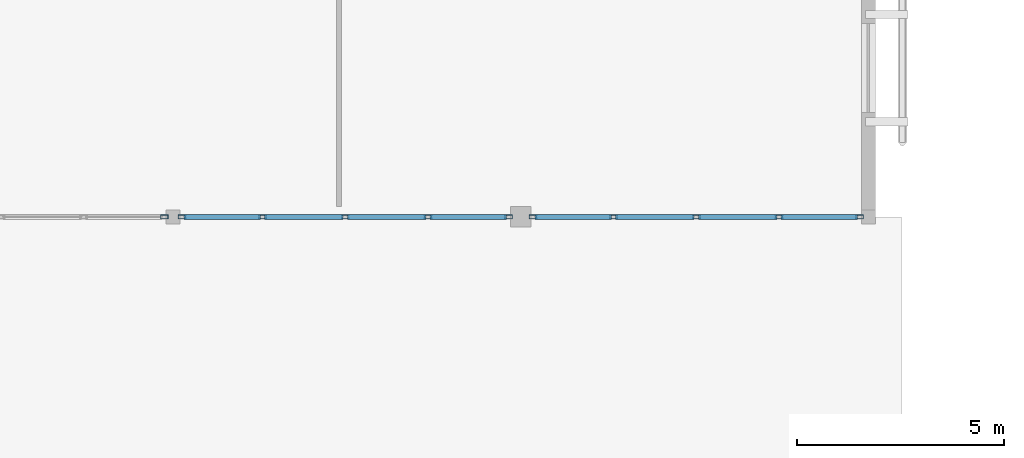
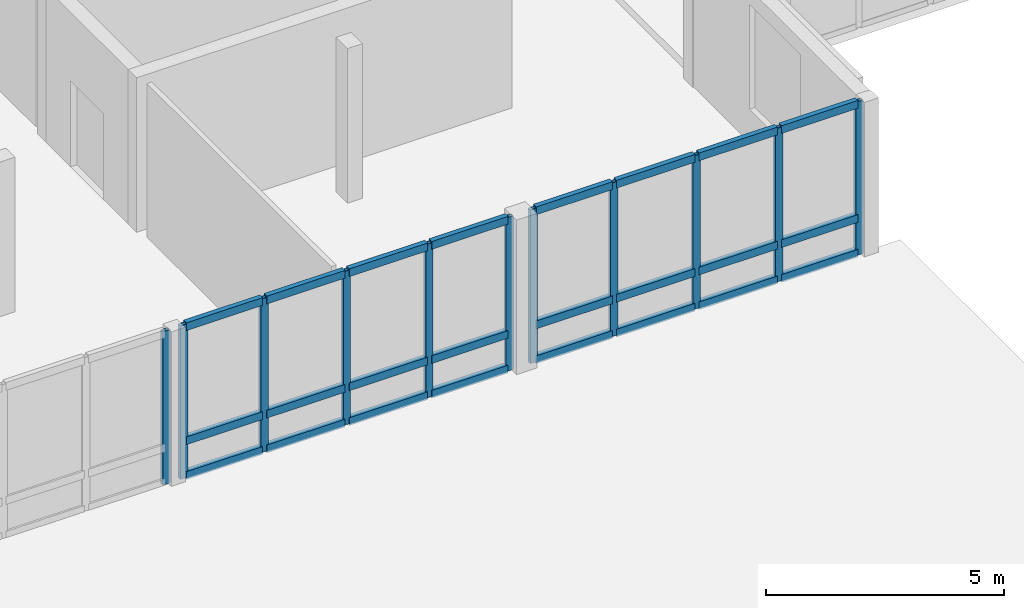
# One storey, part 44 of 217: 35 members, 3 elements without a shape of their own.
"""IFC4 building model written with IfcOpenShell, lengths in metres."""

import ifcopenshell
import ifcopenshell.guid

model = None  # the IFC model being written
_history = None  # IfcOwnerHistory: only IFC2X3 demands one
_inside = {}  # id of a spatial element -> (the spatial element, [elements in it])
_under = {}  # id of a project, library or spatial element -> (it, [spatial elements below it])
_declared = {}  # id of a project -> (the project, [libraries it declares])
_typed = {}  # id of a type object -> (the type object, [elements of that type])
_made_of = {}  # id of a material, layer set ... -> (it, [elements and type objects made of it])


def new_model(schema):
    """Start an empty IFC model of exactly this schema.

    Asked for "IFC4X3", IfcOpenShell would pick the latest addendum, in which some entities
    have other attributes; the version numbers below select the first issue.
    IFC2X3 requires an IfcOwnerHistory on every rooted entity: one is made here for all.
    """
    global model, _history
    if schema == "IFC4X3":
        model = ifcopenshell.file(schema_version=(4, 3, 0, 0))
    else:
        model = ifcopenshell.file(schema=schema)
    _inside.clear()
    _under.clear()
    _declared.clear()
    _typed.clear()
    _made_of.clear()
    _history = None
    if model.schema == "IFC2X3":
        org = make("IfcOrganization", Name="unknown")
        user = make(
            "IfcPersonAndOrganization",
            ThePerson=make("IfcPerson", FamilyName="unknown"),
            TheOrganization=org,
        )
        app = make(
            "IfcApplication",
            ApplicationDeveloper=org,
            Version="unknown",
            ApplicationFullName="unknown",
            ApplicationIdentifier="unknown",
        )
        _history = make(
            "IfcOwnerHistory",
            OwningUser=user,
            OwningApplication=app,
            ChangeAction="ADDED",
            CreationDate=0,
        )
    return model


def make(cls, **values):
    """One entity of the class cls with the attributes given. An attribute that is None is left unset."""
    return model.create_entity(
        cls, **{name: value for name, value in values.items() if value is not None}
    )


def rooted(cls, **values):
    """An entity with a GlobalId (a new one), such as an element, a storey or a relation."""
    return make(cls, GlobalId=ifcopenshell.guid.new(), OwnerHistory=_history, **values)


def si_unit(unit_type, name, prefix=None):
    """IfcSIUnit, for example si_unit("LENGTHUNIT", "METRE", prefix="MILLI")."""
    return make("IfcSIUnit", UnitType=unit_type, Prefix=prefix, Name=name)


def assignment(units):
    """IfcUnitAssignment: the units of a project."""
    return None if units is None else make("IfcUnitAssignment", Units=units)


def point(xyz):
    """IfcCartesianPoint."""
    return None if xyz is None else make("IfcCartesianPoint", Coordinates=xyz)


def direction(xyz):
    """IfcDirection."""
    return None if xyz is None else make("IfcDirection", DirectionRatios=xyz)


def frame(location, z_axis=None, x_axis=None):
    """IfcAxis2Placement3D, a coordinate frame: its origin and axes. An axis left out is left unset."""
    return make(
        "IfcAxis2Placement3D",
        Location=point(location),
        Axis=direction(z_axis),
        RefDirection=direction(x_axis),
    )


def frame_2d(location, x_axis=None):
    """IfcAxis2Placement2D, a coordinate frame in the plane: its origin and x axis."""
    return make(
        "IfcAxis2Placement2D", Location=point(location), RefDirection=direction(x_axis)
    )


def origin():
    """The frame at (0, 0, 0) with its axes left unset."""
    return frame((0.0, 0.0, 0.0))


def origin_2d():
    """The frame at (0, 0) in the plane with its x axis left unset."""
    return frame_2d((0.0, 0.0))


def place(relative_to, where):
    """IfcLocalPlacement: puts the frame where relative to a parent placement (None: the world)."""
    return make(
        "IfcLocalPlacement", PlacementRelTo=relative_to, RelativePlacement=where
    )


def context(
    kind, dimensions, precision=None, world=None, true_north=None, identifier=None
):
    """IfcGeometricRepresentationContext, for example the 3D "Model" context."""
    return make(
        "IfcGeometricRepresentationContext",
        ContextIdentifier=identifier,
        ContextType=kind,
        CoordinateSpaceDimension=dimensions,
        Precision=precision,
        WorldCoordinateSystem=world,
        TrueNorth=true_north,
    )


def subcontext(parent, identifier, kind, view, scale=None):
    """IfcGeometricRepresentationSubContext, for example "Body" below "Model"."""
    return make(
        "IfcGeometricRepresentationSubContext",
        ContextIdentifier=identifier,
        ContextType=kind,
        ParentContext=parent,
        TargetScale=scale,
        TargetView=view,
    )


def project(units=None, contexts=None):
    """IfcProject with its units and contexts."""
    return rooted(
        "IfcProject",
        Name="project",
        RepresentationContexts=contexts,
        UnitsInContext=assignment(units),
    )


def spatial(cls, under=None, at=None, **own):
    """A site, building, storey or space (cls), placed at a placement, below another one or the project."""
    s = rooted(cls, ObjectPlacement=at, **own)
    if under is not None:
        _under.setdefault(under.id(), (under, []))[1].append(s)
    return s


def profile(cls, at=None, kind="AREA", **sizes):
    """A parametric profile (cls). Its sizes go by their IFC names, for example OverallWidth=200.0."""
    return make(cls, ProfileType=kind, Position=at, **sizes)


def hollow_rectangle(**sizes):
    """IfcRectangleHollowProfileDef."""
    return profile("IfcRectangleHollowProfileDef", **sizes)


def extrude(swept, where, along, depth):
    """IfcExtrudedAreaSolid: the profile swept, set in the frame where, extruded along a direction by depth."""
    return make(
        "IfcExtrudedAreaSolid",
        SweptArea=swept,
        Position=where,
        ExtrudedDirection=direction(along),
        Depth=depth,
    )


def shape(context_of_items, identifier, shape_type, items):
    """IfcShapeRepresentation: the items that make up one representation, for example the "Body"."""
    return make(
        "IfcShapeRepresentation",
        ContextOfItems=context_of_items,
        RepresentationIdentifier=identifier,
        RepresentationType=shape_type,
        Items=items,
    )


def material(Name=None, Category=None):
    """IfcMaterial."""
    return make("IfcMaterial", Name=Name, Category=Category)


def layer(
    of_material, thickness, ventilated=None, Name=None, Category=None, Priority=None
):
    """IfcMaterialLayer: one layer of a wall or slab, of a material (None: an air gap)."""
    return make(
        "IfcMaterialLayer",
        Material=of_material,
        LayerThickness=thickness,
        IsVentilated=ventilated,
        Name=Name,
        Category=Category,
        Priority=Priority,
    )


def layer_set(layers, Name=None):
    """IfcMaterialLayerSet."""
    return make("IfcMaterialLayerSet", MaterialLayers=layers, LayerSetName=Name)


def material_profile(
    of_material, cross_section, Name=None, Category=None, Priority=None
):
    """IfcMaterialProfile: a cross section and its material."""
    return make(
        "IfcMaterialProfile",
        Name=Name,
        Material=of_material,
        Profile=cross_section,
        Priority=Priority,
        Category=Category,
    )


def profile_set(profiles, Name=None, composite=None):
    """IfcMaterialProfileSet."""
    return make(
        "IfcMaterialProfileSet",
        Name=Name,
        MaterialProfiles=profiles,
        CompositeProfile=composite,
    )


def made_of(thing, what):
    """Note that an element or type object is made of a material, layer set ...; save() writes the relation."""
    if what is not None:
        _made_of.setdefault(what.id(), (what, []))[1].append(thing)
    return thing


def type_object(cls, material=None, **own):
    """A type object (cls), such as IfcWallType, which elements share."""
    return made_of(rooted(cls, **own), material)


def element(
    cls,
    number,
    at=None,
    inside=None,
    cuts=None,
    type_object=None,
    material=None,
    context=None,
    identifier="Body",
    shape_type=None,
    held_by="IfcProductDefinitionShape",
    body=None,
    shapes=None,
    **own,
):
    """One element of the class cls, such as IfcWall. Its Tag is "e" and its number.

    at: its placement. inside: the storey or other place that contains it. cuts: it is an
    opening in that element (IfcRelVoidsElement). A single representation is given by context,
    identifier, shape_type and body (its items); several are given by shapes. held_by: the class
    of the entity that holds the representations. save() writes the other relations.
    """
    e = rooted(cls, Tag="e%d" % number, ObjectPlacement=at, **own)
    if body is not None:
        shapes = [shape(context, identifier, shape_type, body)]
    if shapes is not None:
        e.Representation = make(held_by, Representations=shapes)
    if inside is not None:
        _inside.setdefault(inside.id(), (inside, []))[1].append(e)
    if cuts is not None:
        rooted(
            "IfcRelVoidsElement", RelatingBuildingElement=cuts, RelatedOpeningElement=e
        )
    if type_object is not None:
        _typed.setdefault(type_object.id(), (type_object, []))[1].append(e)
    return made_of(e, material)


def aggregate(whole, parts):
    """IfcRelAggregates: a whole, such as a stair, and the parts it consists of."""
    return rooted("IfcRelAggregates", RelatingObject=whole, RelatedObjects=parts)


def save(model, path):
    """Write the relations noted so far, then the file.

    IfcRelAggregates (storeys below a building ...), IfcRelContainedInSpatialStructure (elements
    in a storey), IfcRelDefinesByType, IfcRelAssociatesMaterial and IfcRelDeclares: one each for
    every whole, place, type object, material and project.
    """
    for whole, parts in _under.values():
        aggregate(whole, parts)
    for where, things in _inside.values():
        rooted(
            "IfcRelContainedInSpatialStructure",
            RelatedElements=things,
            RelatingStructure=where,
        )
    for kind, things in _typed.values():
        rooted("IfcRelDefinesByType", RelatedObjects=things, RelatingType=kind)
    for what, things in _made_of.values():
        rooted("IfcRelAssociatesMaterial", RelatedObjects=things, RelatingMaterial=what)
    for by, libraries in _declared.values():
        rooted("IfcRelDeclares", RelatingContext=by, RelatedDefinitions=libraries)
    model.write(path)


model = new_model("IFC4")

# Units and contexts
model_context = context("Model", 3, precision=1e-05, world=origin(), true_north=direction((0.0, 1.0)))
body_context = subcontext(model_context, "Body", "Model", "MODEL_VIEW")
ifc_project = project(units=[si_unit("LENGTHUNIT", "METRE"), si_unit("AREAUNIT", "SQUARE_METRE"), si_unit("VOLUMEUNIT", "CUBIC_METRE"), si_unit("PLANEANGLEUNIT", "RADIAN"), si_unit("MASSUNIT", "GRAM", prefix="KILO")], contexts=[model_context])

# Site, building, storey
site_placement = place(None, origin())
site = spatial("IfcSite", under=ifc_project, at=site_placement, CompositionType="ELEMENT")
building_placement = place(site_placement, origin())
building = spatial("IfcBuilding", under=site, at=building_placement, Name="Mazaris Harbour Polytechnic", CompositionType="ELEMENT")
storey_placement = place(building_placement, frame((0.0, 0.0, 9.60009765625)))
storey = spatial("IfcBuildingStorey", under=building, at=storey_placement, Name="L02", CompositionType="ELEMENT", Elevation=9.60009765625)

# Curtain wall, member
ifc_material_1 = material(Name="Anodised Bronze Aluminium and Low-E Glass", Category="aluminium")
ifc_layer = layer(ifc_material_1, 0.179931640625, Name="Anodised Bronze Aluminium and Low-E Glass")
ifc_layer_set = layer_set([ifc_layer], Name="Anodised Bronze Aluminium and Low-E Glass")
curtain_wall_type = type_object("IfcCurtainWallType", Name="Harbour Colonnade Curtain Wall", PredefinedType="NOTDEFINED", material=ifc_layer_set)
curtain_wall_1_placement = place(storey_placement, origin())
curtain_wall_1 = element("IfcCurtainWall", 1, at=curtain_wall_1_placement, inside=storey, type_object=curtain_wall_type, Name="V3 L02 Curtain Wall 83", PredefinedType="NOTDEFINED")
ifc_material_2 = material(Name="Anodised Bronze Steel S355", Category="steel")
ifc_material_profile_1 = material_profile(ifc_material_2, hollow_rectangle(XDim=0.10009765625, YDim=0.179931640625, WallThickness=0.008056640625, at=origin_2d()), Name="RHS 100x180x8.0")
ifc_profile_set_1 = profile_set([ifc_material_profile_1], Name="Anodised Bronze Steel S355")
member_type_1 = type_object("IfcMemberType", Name="Curtain Mullion RHS100x180", PredefinedType="MULLION", material=ifc_profile_set_1)
member_1_placement = place(storey_placement, frame((95.7880859375, 14.39990234375, 0.0), z_axis=(0.0, 0.0, 1.0), x_axis=(0.0, -1.0, 0.0)))
member_1 = element("IfcMember", 2, at=member_1_placement, type_object=member_type_1, Name="CW-01 mullion 1", PredefinedType="MULLION", context=body_context, shape_type="SweptSolid", body=[
    extrude(hollow_rectangle(XDim=0.10009765625, YDim=0.179931640625, WallThickness=0.008056640625, at=origin_2d()), origin(), (0.0, 0.0, 1.0), 3.934814453125),
])
aggregate(curtain_wall_1, [member_1])

# Curtain wall, members
curtain_wall_2_placement = place(storey_placement, origin())
curtain_wall_2 = element("IfcCurtainWall", 3, at=curtain_wall_2_placement, inside=storey, type_object=curtain_wall_type, Name="V3 L02 Curtain Wall 84", PredefinedType="NOTDEFINED")
member_2_placement = place(storey_placement, frame((104.10791015625, 14.39990234375, 0.0), z_axis=(0.0, 0.0, 1.0), x_axis=(0.0, -1.0, 0.0)))
member_2 = element("IfcMember", 4, at=member_2_placement, type_object=member_type_1, Name="CW-01 mullion 1", PredefinedType="MULLION", context=body_context, shape_type="SweptSolid", body=[
    extrude(hollow_rectangle(XDim=0.10009765625, YDim=0.179931640625, WallThickness=0.008056640625, at=origin_2d()), origin(), (0.0, 0.0, 1.0), 3.934814453125),
])
member_3_placement = place(storey_placement, frame((102.158935546875, 14.39990234375, 0.0), z_axis=(0.0, 0.0, 1.0), x_axis=(0.0, -1.0, 0.0)))
member_3 = element("IfcMember", 5, at=member_3_placement, type_object=member_type_1, Name="CW-01 mullion 2", PredefinedType="MULLION", context=body_context, shape_type="SweptSolid", body=[
    extrude(hollow_rectangle(XDim=0.10009765625, YDim=0.179931640625, WallThickness=0.008056640625, at=origin_2d()), origin(), (0.0, 0.0, 1.0), 3.934814453125),
])
member_4_placement = place(storey_placement, frame((100.159912109375, 14.39990234375, 0.0), z_axis=(0.0, 0.0, 1.0), x_axis=(0.0, -1.0, 0.0)))
member_4 = element("IfcMember", 6, at=member_4_placement, type_object=member_type_1, Name="CW-01 mullion 3", PredefinedType="MULLION", context=body_context, shape_type="SweptSolid", body=[
    extrude(hollow_rectangle(XDim=0.10009765625, YDim=0.179931640625, WallThickness=0.008056640625, at=origin_2d()), origin(), (0.0, 0.0, 1.0), 3.934814453125),
])
member_5_placement = place(storey_placement, frame((98.160888671875, 14.39990234375, 0.0), z_axis=(0.0, 0.0, 1.0), x_axis=(0.0, -1.0, 0.0)))
member_5 = element("IfcMember", 7, at=member_5_placement, type_object=member_type_1, Name="CW-01 mullion 4", PredefinedType="MULLION", context=body_context, shape_type="SweptSolid", body=[
    extrude(hollow_rectangle(XDim=0.10009765625, YDim=0.179931640625, WallThickness=0.008056640625, at=origin_2d()), origin(), (0.0, 0.0, 1.0), 3.934814453125),
])
member_6_placement = place(storey_placement, frame((96.2119140625, 14.39990234375, 0.0), z_axis=(0.0, 0.0, 1.0), x_axis=(0.0, -1.0, 0.0)))
member_6 = element("IfcMember", 8, at=member_6_placement, type_object=member_type_1, Name="CW-01 mullion 5", PredefinedType="MULLION", context=body_context, shape_type="SweptSolid", body=[
    extrude(hollow_rectangle(XDim=0.10009765625, YDim=0.179931640625, WallThickness=0.008056640625, at=origin_2d()), origin(), (0.0, 0.0, 1.0), 3.934814453125),
])

curtain_wall_3_placement = place(storey_placement, origin())
curtain_wall_3 = element("IfcCurtainWall", 9, at=curtain_wall_3_placement, inside=storey, type_object=curtain_wall_type, Name="V3 L02 Curtain Wall 85", PredefinedType="NOTDEFINED")
member_7_placement = place(storey_placement, frame((112.587890625, 14.39990234375, 0.0), z_axis=(0.0, 0.0, 1.0), x_axis=(0.0, -1.0, 0.0)))
member_7 = element("IfcMember", 10, at=member_7_placement, type_object=member_type_1, Name="CW-01 mullion 1", PredefinedType="MULLION", context=body_context, shape_type="SweptSolid", body=[
    extrude(hollow_rectangle(XDim=0.10009765625, YDim=0.179931640625, WallThickness=0.008056640625, at=origin_2d()), origin(), (0.0, 0.0, 1.0), 3.934814453125),
])
member_8_placement = place(storey_placement, frame((110.638916015625, 14.39990234375, 0.0), z_axis=(0.0, 0.0, 1.0), x_axis=(0.0, -1.0, 0.0)))
member_8 = element("IfcMember", 11, at=member_8_placement, type_object=member_type_1, Name="CW-01 mullion 2", PredefinedType="MULLION", context=body_context, shape_type="SweptSolid", body=[
    extrude(hollow_rectangle(XDim=0.10009765625, YDim=0.179931640625, WallThickness=0.008056640625, at=origin_2d()), origin(), (0.0, 0.0, 1.0), 3.934814453125),
])
member_9_placement = place(storey_placement, frame((108.639892578125, 14.39990234375, 0.0), z_axis=(0.0, 0.0, 1.0), x_axis=(0.0, -1.0, 0.0)))
member_9 = element("IfcMember", 12, at=member_9_placement, type_object=member_type_1, Name="CW-01 mullion 3", PredefinedType="MULLION", context=body_context, shape_type="SweptSolid", body=[
    extrude(hollow_rectangle(XDim=0.10009765625, YDim=0.179931640625, WallThickness=0.008056640625, at=origin_2d()), origin(), (0.0, 0.0, 1.0), 3.934814453125),
])
member_10_placement = place(storey_placement, frame((106.64111328125, 14.39990234375, 0.0), z_axis=(0.0, 0.0, 1.0), x_axis=(0.0, -1.0, 0.0)))
member_10 = element("IfcMember", 13, at=member_10_placement, type_object=member_type_1, Name="CW-01 mullion 4", PredefinedType="MULLION", context=body_context, shape_type="SweptSolid", body=[
    extrude(hollow_rectangle(XDim=0.10009765625, YDim=0.179931640625, WallThickness=0.008056640625, at=origin_2d()), origin(), (0.0, 0.0, 1.0), 3.934814453125),
])
member_11_placement = place(storey_placement, frame((104.69189453125, 14.39990234375, 0.0), z_axis=(0.0, 0.0, 1.0), x_axis=(0.0, -1.0, 0.0)))
member_11 = element("IfcMember", 14, at=member_11_placement, type_object=member_type_1, Name="CW-01 mullion 5", PredefinedType="MULLION", context=body_context, shape_type="SweptSolid", body=[
    extrude(hollow_rectangle(XDim=0.10009765625, YDim=0.179931640625, WallThickness=0.008056640625, at=origin_2d()), origin(), (0.0, 0.0, 1.0), 3.934814453125),
])

# Member
ifc_material_3 = material(Name="Anodised Bronze Steel S355", Category="steel")
ifc_material_profile_2 = material_profile(ifc_material_3, hollow_rectangle(XDim=0.1201171875, YDim=0.199951171875, WallThickness=0.008056640625, at=origin_2d()), Name="RHS 120x200x8.0")
ifc_profile_set_2 = profile_set([ifc_material_profile_2], Name="Anodised Bronze Steel S355")
member_type_2 = type_object("IfcMemberType", Name="Curtain Transom RHS120x200", PredefinedType="USERDEFINED", material=ifc_profile_set_2)
member_12_placement = place(storey_placement, frame((104.05810546875, 14.39990234375, 0.059814453125), z_axis=(-1.0, 0.0, 0.0), x_axis=(0.0, -1.0, 0.0)))
member_12 = element("IfcMember", 15, at=member_12_placement, type_object=member_type_2, Name="CW-01 transom 1.1", ObjectType="TRANSOM", PredefinedType="USERDEFINED", context=body_context, shape_type="SweptSolid", body=[
    extrude(hollow_rectangle(XDim=0.1201171875, YDim=0.199951171875, WallThickness=0.008056640625, at=origin_2d()), origin(), (0.0, 0.0, 1.0), 1.84912109375),
])

member_13_placement = place(storey_placement, frame((104.05810546875, 14.39990234375, 0.949951171875), z_axis=(-1.0, 0.0, 0.0), x_axis=(0.0, -1.0, 0.0)))
member_13 = element("IfcMember", 16, at=member_13_placement, type_object=member_type_2, Name="CW-01 transom 1.2", ObjectType="TRANSOM", PredefinedType="USERDEFINED", context=body_context, shape_type="SweptSolid", body=[
    extrude(hollow_rectangle(XDim=0.1201171875, YDim=0.199951171875, WallThickness=0.008056640625, at=origin_2d()), origin(), (0.0, 0.0, 1.0), 1.84912109375),
])

member_14_placement = place(storey_placement, frame((104.05810546875, 14.39990234375, 3.875), z_axis=(-1.0, 0.0, 0.0), x_axis=(0.0, -1.0, 0.0)))
member_14 = element("IfcMember", 17, at=member_14_placement, type_object=member_type_2, Name="CW-01 transom 1.3", ObjectType="TRANSOM", PredefinedType="USERDEFINED", context=body_context, shape_type="SweptSolid", body=[
    extrude(hollow_rectangle(XDim=0.1201171875, YDim=0.199951171875, WallThickness=0.008056640625, at=origin_2d()), origin(), (0.0, 0.0, 1.0), 1.84912109375),
])

member_15_placement = place(storey_placement, frame((102.10888671875, 14.39990234375, 0.059814453125), z_axis=(-1.0, 0.0, 0.0), x_axis=(0.0, -1.0, 0.0)))
member_15 = element("IfcMember", 18, at=member_15_placement, type_object=member_type_2, Name="CW-01 transom 2.1", ObjectType="TRANSOM", PredefinedType="USERDEFINED", context=body_context, shape_type="SweptSolid", body=[
    extrude(hollow_rectangle(XDim=0.1201171875, YDim=0.199951171875, WallThickness=0.008056640625, at=origin_2d()), origin(), (0.0, 0.0, 1.0), 1.89892578125),
])

member_16_placement = place(storey_placement, frame((102.10888671875, 14.39990234375, 0.949951171875), z_axis=(-1.0, 0.0, 0.0), x_axis=(0.0, -1.0, 0.0)))
member_16 = element("IfcMember", 19, at=member_16_placement, type_object=member_type_2, Name="CW-01 transom 2.2", ObjectType="TRANSOM", PredefinedType="USERDEFINED", context=body_context, shape_type="SweptSolid", body=[
    extrude(hollow_rectangle(XDim=0.1201171875, YDim=0.199951171875, WallThickness=0.008056640625, at=origin_2d()), origin(), (0.0, 0.0, 1.0), 1.89892578125),
])

member_17_placement = place(storey_placement, frame((102.10888671875, 14.39990234375, 3.875), z_axis=(-1.0, 0.0, 0.0), x_axis=(0.0, -1.0, 0.0)))
member_17 = element("IfcMember", 20, at=member_17_placement, type_object=member_type_2, Name="CW-01 transom 2.3", ObjectType="TRANSOM", PredefinedType="USERDEFINED", context=body_context, shape_type="SweptSolid", body=[
    extrude(hollow_rectangle(XDim=0.1201171875, YDim=0.199951171875, WallThickness=0.008056640625, at=origin_2d()), origin(), (0.0, 0.0, 1.0), 1.89892578125),
])

member_18_placement = place(storey_placement, frame((100.110107421875, 14.39990234375, 0.059814453125), z_axis=(-1.0, 0.0, 0.0), x_axis=(0.0, -1.0, 0.0)))
member_18 = element("IfcMember", 21, at=member_18_placement, type_object=member_type_2, Name="CW-01 transom 3.1", ObjectType="TRANSOM", PredefinedType="USERDEFINED", context=body_context, shape_type="SweptSolid", body=[
    extrude(hollow_rectangle(XDim=0.1201171875, YDim=0.199951171875, WallThickness=0.008056640625, at=origin_2d()), origin(), (0.0, 0.0, 1.0), 1.899169921875),
])

member_19_placement = place(storey_placement, frame((100.110107421875, 14.39990234375, 0.949951171875), z_axis=(-1.0, 0.0, 0.0), x_axis=(0.0, -1.0, 0.0)))
member_19 = element("IfcMember", 22, at=member_19_placement, type_object=member_type_2, Name="CW-01 transom 3.2", ObjectType="TRANSOM", PredefinedType="USERDEFINED", context=body_context, shape_type="SweptSolid", body=[
    extrude(hollow_rectangle(XDim=0.1201171875, YDim=0.199951171875, WallThickness=0.008056640625, at=origin_2d()), origin(), (0.0, 0.0, 1.0), 1.899169921875),
])

member_20_placement = place(storey_placement, frame((100.110107421875, 14.39990234375, 3.875), z_axis=(-1.0, 0.0, 0.0), x_axis=(0.0, -1.0, 0.0)))
member_20 = element("IfcMember", 23, at=member_20_placement, type_object=member_type_2, Name="CW-01 transom 3.3", ObjectType="TRANSOM", PredefinedType="USERDEFINED", context=body_context, shape_type="SweptSolid", body=[
    extrude(hollow_rectangle(XDim=0.1201171875, YDim=0.199951171875, WallThickness=0.008056640625, at=origin_2d()), origin(), (0.0, 0.0, 1.0), 1.899169921875),
])

member_21_placement = place(storey_placement, frame((98.111083984375, 14.39990234375, 0.059814453125), z_axis=(-1.0, 0.0, 0.0), x_axis=(0.0, -1.0, 0.0)))
member_21 = element("IfcMember", 24, at=member_21_placement, type_object=member_type_2, Name="CW-01 transom 4.1", ObjectType="TRANSOM", PredefinedType="USERDEFINED", context=body_context, shape_type="SweptSolid", body=[
    extrude(hollow_rectangle(XDim=0.1201171875, YDim=0.199951171875, WallThickness=0.008056640625, at=origin_2d()), origin(), (0.0, 0.0, 1.0), 1.84912109375),
])

member_22_placement = place(storey_placement, frame((98.111083984375, 14.39990234375, 0.949951171875), z_axis=(-1.0, 0.0, 0.0), x_axis=(0.0, -1.0, 0.0)))
member_22 = element("IfcMember", 25, at=member_22_placement, type_object=member_type_2, Name="CW-01 transom 4.2", ObjectType="TRANSOM", PredefinedType="USERDEFINED", context=body_context, shape_type="SweptSolid", body=[
    extrude(hollow_rectangle(XDim=0.1201171875, YDim=0.199951171875, WallThickness=0.008056640625, at=origin_2d()), origin(), (0.0, 0.0, 1.0), 1.84912109375),
])

member_23_placement = place(storey_placement, frame((98.111083984375, 14.39990234375, 3.875), z_axis=(-1.0, 0.0, 0.0), x_axis=(0.0, -1.0, 0.0)))
member_23 = element("IfcMember", 26, at=member_23_placement, type_object=member_type_2, Name="CW-01 transom 4.3", ObjectType="TRANSOM", PredefinedType="USERDEFINED", context=body_context, shape_type="SweptSolid", body=[
    extrude(hollow_rectangle(XDim=0.1201171875, YDim=0.199951171875, WallThickness=0.008056640625, at=origin_2d()), origin(), (0.0, 0.0, 1.0), 1.84912109375),
])

aggregate(curtain_wall_2, [member_2, member_3, member_4, member_5, member_6, member_12, member_13, member_14, member_15, member_16, member_17, member_18, member_19, member_20, member_21, member_22, member_23])

member_24_placement = place(storey_placement, frame((112.5380859375, 14.39990234375, 0.059814453125), z_axis=(-1.0, 0.0, 0.0), x_axis=(0.0, -1.0, 0.0)))
member_24 = element("IfcMember", 27, at=member_24_placement, type_object=member_type_2, Name="CW-01 transom 1.1", ObjectType="TRANSOM", PredefinedType="USERDEFINED", context=body_context, shape_type="SweptSolid", body=[
    extrude(hollow_rectangle(XDim=0.1201171875, YDim=0.199951171875, WallThickness=0.008056640625, at=origin_2d()), origin(), (0.0, 0.0, 1.0), 1.84912109375),
])

member_25_placement = place(storey_placement, frame((112.5380859375, 14.39990234375, 0.949951171875), z_axis=(-1.0, 0.0, 0.0), x_axis=(0.0, -1.0, 0.0)))
member_25 = element("IfcMember", 28, at=member_25_placement, type_object=member_type_2, Name="CW-01 transom 1.2", ObjectType="TRANSOM", PredefinedType="USERDEFINED", context=body_context, shape_type="SweptSolid", body=[
    extrude(hollow_rectangle(XDim=0.1201171875, YDim=0.199951171875, WallThickness=0.008056640625, at=origin_2d()), origin(), (0.0, 0.0, 1.0), 1.84912109375),
])

member_26_placement = place(storey_placement, frame((112.5380859375, 14.39990234375, 3.875), z_axis=(-1.0, 0.0, 0.0), x_axis=(0.0, -1.0, 0.0)))
member_26 = element("IfcMember", 29, at=member_26_placement, type_object=member_type_2, Name="CW-01 transom 1.3", ObjectType="TRANSOM", PredefinedType="USERDEFINED", context=body_context, shape_type="SweptSolid", body=[
    extrude(hollow_rectangle(XDim=0.1201171875, YDim=0.199951171875, WallThickness=0.008056640625, at=origin_2d()), origin(), (0.0, 0.0, 1.0), 1.84912109375),
])

member_27_placement = place(storey_placement, frame((110.589111328125, 14.39990234375, 0.059814453125), z_axis=(-1.0, 0.0, 0.0), x_axis=(0.0, -1.0, 0.0)))
member_27 = element("IfcMember", 30, at=member_27_placement, type_object=member_type_2, Name="CW-01 transom 2.1", ObjectType="TRANSOM", PredefinedType="USERDEFINED", context=body_context, shape_type="SweptSolid", body=[
    extrude(hollow_rectangle(XDim=0.1201171875, YDim=0.199951171875, WallThickness=0.008056640625, at=origin_2d()), origin(), (0.0, 0.0, 1.0), 1.899169921875),
])

member_28_placement = place(storey_placement, frame((110.589111328125, 14.39990234375, 0.949951171875), z_axis=(-1.0, 0.0, 0.0), x_axis=(0.0, -1.0, 0.0)))
member_28 = element("IfcMember", 31, at=member_28_placement, type_object=member_type_2, Name="CW-01 transom 2.2", ObjectType="TRANSOM", PredefinedType="USERDEFINED", context=body_context, shape_type="SweptSolid", body=[
    extrude(hollow_rectangle(XDim=0.1201171875, YDim=0.199951171875, WallThickness=0.008056640625, at=origin_2d()), origin(), (0.0, 0.0, 1.0), 1.899169921875),
])

member_29_placement = place(storey_placement, frame((110.589111328125, 14.39990234375, 3.875), z_axis=(-1.0, 0.0, 0.0), x_axis=(0.0, -1.0, 0.0)))
member_29 = element("IfcMember", 32, at=member_29_placement, type_object=member_type_2, Name="CW-01 transom 2.3", ObjectType="TRANSOM", PredefinedType="USERDEFINED", context=body_context, shape_type="SweptSolid", body=[
    extrude(hollow_rectangle(XDim=0.1201171875, YDim=0.199951171875, WallThickness=0.008056640625, at=origin_2d()), origin(), (0.0, 0.0, 1.0), 1.899169921875),
])

member_30_placement = place(storey_placement, frame((108.590087890625, 14.39990234375, 0.059814453125), z_axis=(-1.0, 0.0, 0.0), x_axis=(0.0, -1.0, 0.0)))
member_30 = element("IfcMember", 33, at=member_30_placement, type_object=member_type_2, Name="CW-01 transom 3.1", ObjectType="TRANSOM", PredefinedType="USERDEFINED", context=body_context, shape_type="SweptSolid", body=[
    extrude(hollow_rectangle(XDim=0.1201171875, YDim=0.199951171875, WallThickness=0.008056640625, at=origin_2d()), origin(), (0.0, 0.0, 1.0), 1.899169921875),
])

member_31_placement = place(storey_placement, frame((108.590087890625, 14.39990234375, 0.949951171875), z_axis=(-1.0, 0.0, 0.0), x_axis=(0.0, -1.0, 0.0)))
member_31 = element("IfcMember", 34, at=member_31_placement, type_object=member_type_2, Name="CW-01 transom 3.2", ObjectType="TRANSOM", PredefinedType="USERDEFINED", context=body_context, shape_type="SweptSolid", body=[
    extrude(hollow_rectangle(XDim=0.1201171875, YDim=0.199951171875, WallThickness=0.008056640625, at=origin_2d()), origin(), (0.0, 0.0, 1.0), 1.899169921875),
])

member_32_placement = place(storey_placement, frame((108.590087890625, 14.39990234375, 3.875), z_axis=(-1.0, 0.0, 0.0), x_axis=(0.0, -1.0, 0.0)))
member_32 = element("IfcMember", 35, at=member_32_placement, type_object=member_type_2, Name="CW-01 transom 3.3", ObjectType="TRANSOM", PredefinedType="USERDEFINED", context=body_context, shape_type="SweptSolid", body=[
    extrude(hollow_rectangle(XDim=0.1201171875, YDim=0.199951171875, WallThickness=0.008056640625, at=origin_2d()), origin(), (0.0, 0.0, 1.0), 1.899169921875),
])

member_33_placement = place(storey_placement, frame((106.591064453125, 14.39990234375, 0.059814453125), z_axis=(-1.0, 0.0, 0.0), x_axis=(0.0, -1.0, 0.0)))
member_33 = element("IfcMember", 36, at=member_33_placement, type_object=member_type_2, Name="CW-01 transom 4.1", ObjectType="TRANSOM", PredefinedType="USERDEFINED", context=body_context, shape_type="SweptSolid", body=[
    extrude(hollow_rectangle(XDim=0.1201171875, YDim=0.199951171875, WallThickness=0.008056640625, at=origin_2d()), origin(), (0.0, 0.0, 1.0), 1.84912109375),
])

member_34_placement = place(storey_placement, frame((106.591064453125, 14.39990234375, 0.949951171875), z_axis=(-1.0, 0.0, 0.0), x_axis=(0.0, -1.0, 0.0)))
member_34 = element("IfcMember", 37, at=member_34_placement, type_object=member_type_2, Name="CW-01 transom 4.2", ObjectType="TRANSOM", PredefinedType="USERDEFINED", context=body_context, shape_type="SweptSolid", body=[
    extrude(hollow_rectangle(XDim=0.1201171875, YDim=0.199951171875, WallThickness=0.008056640625, at=origin_2d()), origin(), (0.0, 0.0, 1.0), 1.84912109375),
])

member_35_placement = place(storey_placement, frame((106.591064453125, 14.39990234375, 3.875), z_axis=(-1.0, 0.0, 0.0), x_axis=(0.0, -1.0, 0.0)))
member_35 = element("IfcMember", 38, at=member_35_placement, type_object=member_type_2, Name="CW-01 transom 4.3", ObjectType="TRANSOM", PredefinedType="USERDEFINED", context=body_context, shape_type="SweptSolid", body=[
    extrude(hollow_rectangle(XDim=0.1201171875, YDim=0.199951171875, WallThickness=0.008056640625, at=origin_2d()), origin(), (0.0, 0.0, 1.0), 1.84912109375),
])

aggregate(curtain_wall_3, [member_7, member_8, member_9, member_10, member_11, member_24, member_25, member_26, member_27, member_28, member_29, member_30, member_31, member_32, member_33, member_34, member_35])

save(model, "model.ifc")
